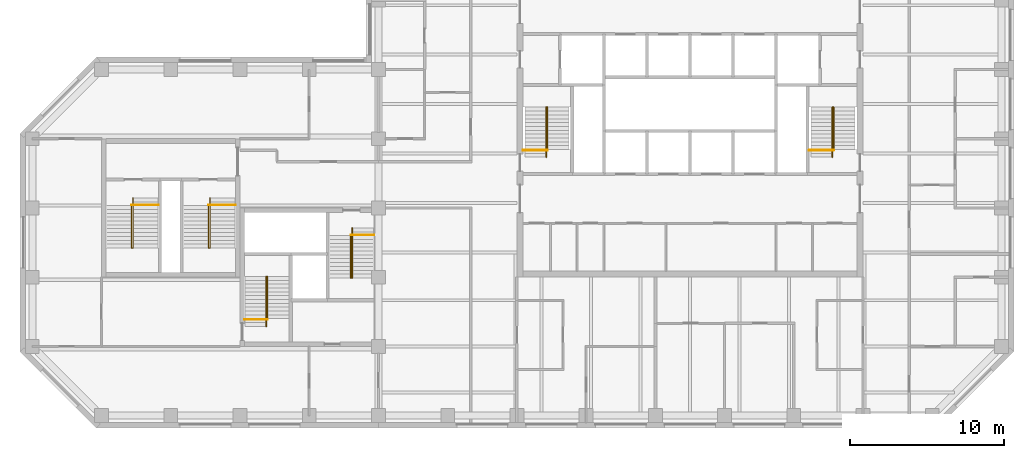
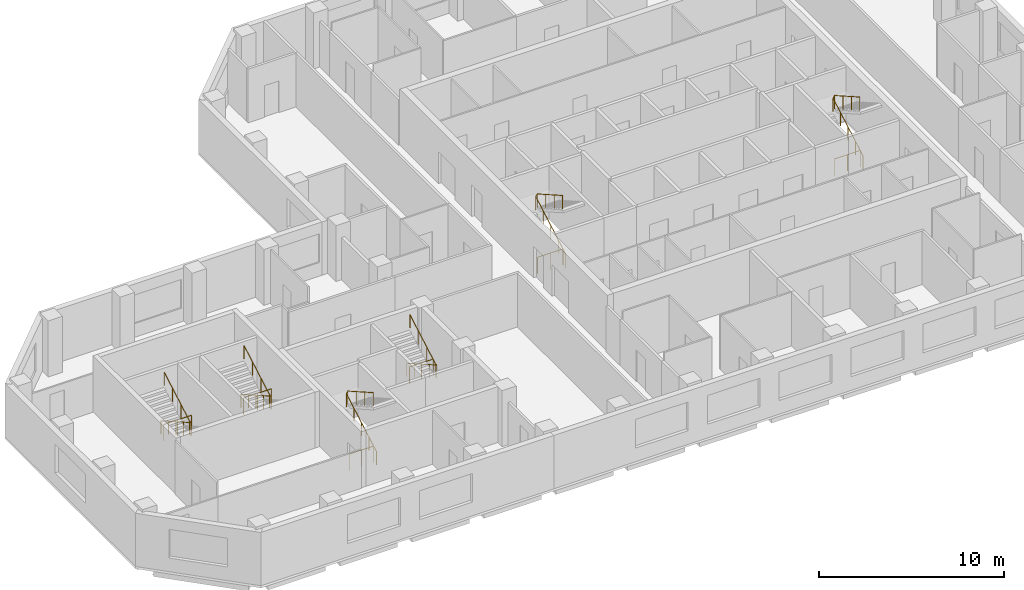
# One storey, part 10 of 10: 12 railings.
"""IFC4 building model written with IfcOpenShell, lengths in metres."""

from ifc_helpers import new_model, si_unit, direction, frame, origin, origin_2d, place, context, subcontext, project, spatial, circle, extrude, material, type_object, element, save


model = new_model("IFC4")

# Units and contexts
model_context = context("Model", 3, precision=1e-05, world=origin(), true_north=direction((0.0, 1.0)))
body_context = subcontext(model_context, "Body", "Model", "MODEL_VIEW")
ifc_project = project(units=[si_unit("LENGTHUNIT", "METRE"), si_unit("AREAUNIT", "SQUARE_METRE"), si_unit("VOLUMEUNIT", "CUBIC_METRE"), si_unit("PLANEANGLEUNIT", "RADIAN"), si_unit("MASSUNIT", "GRAM", prefix="KILO")], contexts=[model_context])

# Site, building, storey
site_placement = place(None, origin())
site = spatial("IfcSite", under=ifc_project, at=site_placement, CompositionType="ELEMENT")
building_placement = place(site_placement, origin())
building = spatial("IfcBuilding", under=site, at=building_placement, Name="Quoin Convention Tower", CompositionType="ELEMENT")
storey_placement = place(building_placement, frame((0.0, 0.0, 192.10009765625)))
storey = spatial("IfcBuildingStorey", under=building, at=storey_placement, Name="L50", CompositionType="ELEMENT", Elevation=192.10009765625)

# Railings
ifc_material = material(Name="Stainless steel", Category="steel")
railing_type_1 = type_object("IfcRailingType", Name="Stair handrail 900", PredefinedType="HANDRAIL", material=ifc_material)
railing_1_placement = place(storey_placement, frame((46.905029296875, 57.300048828125, 0.14208984375)))
element("IfcRailing", 1, at=railing_1_placement, inside=storey, type_object=railing_type_1, Name="SD1 handrail 1", PredefinedType="HANDRAIL", context=body_context, shape_type="SweptSolid", body=[
    extrude(circle(Radius=0.02392578125, at=origin_2d()), frame((0.0, 0.0, 0.8759765625), z_axis=(0.0, 0.869053504361, 0.494718108177), x_axis=(-1.0, 0.0, 0.0)), (0.0, 0.0, 1.0), 3.73974609375),
    extrude(circle(Radius=0.02392578125, at=origin_2d()), frame((0.0, 3.25, 2.72607421875), z_axis=(0.53481069233, 0.0, 0.844971906852), x_axis=(0.0, 1.0, 0.0)), (0.0, 0.0, 1.0), 0.16845703125),
    extrude(circle(Radius=0.02392578125, at=origin_2d()), frame((0.090087890625, 3.25, 2.8681640625), z_axis=(0.0, -0.869058607571, 0.494709143443), x_axis=(1.0, 0.0, 0.0)), (0.0, 0.0, 1.0), 3.164306640625),
    extrude(circle(Radius=0.02099609375, at=origin_2d()), origin(), (0.0, 0.0, 1.0), 0.851806640625),
    extrude(circle(Radius=0.02099609375, at=origin_2d()), frame((0.0, 0.8125, 0.46240234375)), (0.0, 0.0, 1.0), 0.851806640625),
    extrude(circle(Radius=0.02099609375, at=origin_2d()), frame((0.0, 1.625, 0.925048828125)), (0.0, 0.0, 1.0), 0.851806640625),
    extrude(circle(Radius=0.02099609375, at=origin_2d()), frame((0.0, 2.4375, 1.3876953125)), (0.0, 0.0, 1.0), 0.851806640625),
    extrude(circle(Radius=0.02099609375, at=origin_2d()), frame((0.0, 3.25, 1.85009765625)), (0.0, 0.0, 1.0), 0.851806640625),
    extrude(circle(Radius=0.02099609375, at=origin_2d()), frame((0.090087890625, 3.25, 1.992431640625)), (0.0, 0.0, 1.0), 0.851806640625),
    extrude(circle(Radius=0.02099609375, at=origin_2d()), frame((0.090087890625, 2.333251953125, 2.51416015625)), (0.0, 0.0, 1.0), 0.851806640625),
    extrude(circle(Radius=0.02099609375, at=origin_2d()), frame((0.090087890625, 1.416748046875, 3.0361328125)), (0.0, 0.0, 1.0), 0.851806640625),
    extrude(circle(Radius=0.02099609375, at=origin_2d()), frame((0.090087890625, 0.5, 3.557861328125)), (0.0, 0.0, 1.0), 0.851806640625),
])
railing_2_placement = place(storey_placement, frame((65.5048828125, 57.300048828125, 0.14208984375)))
element("IfcRailing", 2, at=railing_2_placement, inside=storey, type_object=railing_type_1, Name="SD2 handrail 1", PredefinedType="HANDRAIL", context=body_context, shape_type="SweptSolid", body=[
    extrude(circle(Radius=0.02392578125, at=origin_2d()), frame((0.0, 0.0, 0.8759765625), z_axis=(0.0, 0.869053504361, 0.494718108177), x_axis=(-1.0, 0.0, 0.0)), (0.0, 0.0, 1.0), 3.73974609375),
    extrude(circle(Radius=0.02392578125, at=origin_2d()), frame((0.0, 3.25, 2.72607421875), z_axis=(0.53481069233, 0.0, 0.844971906852), x_axis=(0.0, 1.0, 0.0)), (0.0, 0.0, 1.0), 0.16845703125),
    extrude(circle(Radius=0.02392578125, at=origin_2d()), frame((0.090087890625, 3.25, 2.8681640625), z_axis=(0.0, -0.869058607571, 0.494709143443), x_axis=(1.0, 0.0, 0.0)), (0.0, 0.0, 1.0), 3.164306640625),
    extrude(circle(Radius=0.02099609375, at=origin_2d()), origin(), (0.0, 0.0, 1.0), 0.851806640625),
    extrude(circle(Radius=0.02099609375, at=origin_2d()), frame((0.0, 0.8125, 0.46240234375)), (0.0, 0.0, 1.0), 0.851806640625),
    extrude(circle(Radius=0.02099609375, at=origin_2d()), frame((0.0, 1.625, 0.925048828125)), (0.0, 0.0, 1.0), 0.851806640625),
    extrude(circle(Radius=0.02099609375, at=origin_2d()), frame((0.0, 2.4375, 1.3876953125)), (0.0, 0.0, 1.0), 0.851806640625),
    extrude(circle(Radius=0.02099609375, at=origin_2d()), frame((0.0, 3.25, 1.85009765625)), (0.0, 0.0, 1.0), 0.851806640625),
    extrude(circle(Radius=0.02099609375, at=origin_2d()), frame((0.090087890625, 3.25, 1.992431640625)), (0.0, 0.0, 1.0), 0.851806640625),
    extrude(circle(Radius=0.02099609375, at=origin_2d()), frame((0.090087890625, 2.333251953125, 2.51416015625)), (0.0, 0.0, 1.0), 0.851806640625),
    extrude(circle(Radius=0.02099609375, at=origin_2d()), frame((0.090087890625, 1.416748046875, 3.0361328125)), (0.0, 0.0, 1.0), 0.851806640625),
    extrude(circle(Radius=0.02099609375, at=origin_2d()), frame((0.090087890625, 0.5, 3.557861328125)), (0.0, 0.0, 1.0), 0.851806640625),
])
railing_3_placement = place(storey_placement, frame((28.705078125, 46.300048828125, 0.14208984375)))
element("IfcRailing", 3, at=railing_3_placement, inside=storey, type_object=railing_type_1, Name="SD3 handrail 1", PredefinedType="HANDRAIL", context=body_context, shape_type="SweptSolid", body=[
    extrude(circle(Radius=0.02392578125, at=origin_2d()), frame((0.0, 0.0, 0.8759765625), z_axis=(0.0, 0.869053504361, 0.494718108177), x_axis=(-1.0, 0.0, 0.0)), (0.0, 0.0, 1.0), 3.73974609375),
    extrude(circle(Radius=0.02392578125, at=origin_2d()), frame((0.0, 3.25, 2.72607421875), z_axis=(0.533774684331, 0.0, 0.845626741753), x_axis=(0.0, 1.0, 0.0)), (0.0, 0.0, 1.0), 0.168212890625),
    extrude(circle(Radius=0.02392578125, at=origin_2d()), frame((0.08984375, 3.25, 2.8681640625), z_axis=(0.0, -0.869058607571, 0.494709143443), x_axis=(1.0, 0.0, 0.0)), (0.0, 0.0, 1.0), 3.164306640625),
    extrude(circle(Radius=0.02099609375, at=origin_2d()), origin(), (0.0, 0.0, 1.0), 0.851806640625),
    extrude(circle(Radius=0.02099609375, at=origin_2d()), frame((0.0, 0.8125, 0.46240234375)), (0.0, 0.0, 1.0), 0.851806640625),
    extrude(circle(Radius=0.02099609375, at=origin_2d()), frame((0.0, 1.625, 0.925048828125)), (0.0, 0.0, 1.0), 0.851806640625),
    extrude(circle(Radius=0.02099609375, at=origin_2d()), frame((0.0, 2.4375, 1.3876953125)), (0.0, 0.0, 1.0), 0.851806640625),
    extrude(circle(Radius=0.02099609375, at=origin_2d()), frame((0.0, 3.25, 1.85009765625)), (0.0, 0.0, 1.0), 0.851806640625),
    extrude(circle(Radius=0.02099609375, at=origin_2d()), frame((0.08984375, 3.25, 1.992431640625)), (0.0, 0.0, 1.0), 0.851806640625),
    extrude(circle(Radius=0.02099609375, at=origin_2d()), frame((0.08984375, 2.333251953125, 2.51416015625)), (0.0, 0.0, 1.0), 0.851806640625),
    extrude(circle(Radius=0.02099609375, at=origin_2d()), frame((0.08984375, 1.416748046875, 3.0361328125)), (0.0, 0.0, 1.0), 0.851806640625),
    extrude(circle(Radius=0.02099609375, at=origin_2d()), frame((0.08984375, 0.5, 3.557861328125)), (0.0, 0.0, 1.0), 0.851806640625),
])
railing_4_placement = place(storey_placement, frame((34.294921875, 52.699951171875, 0.14208984375)))
element("IfcRailing", 4, at=railing_4_placement, inside=storey, type_object=railing_type_1, Name="SD4 handrail 1", PredefinedType="HANDRAIL", context=body_context, shape_type="SweptSolid", body=[
    extrude(circle(Radius=0.02392578125, at=origin_2d()), frame((0.0, 0.0, 0.8759765625), z_axis=(0.0, -0.869053504361, 0.494718108177), x_axis=(1.0, 0.0, 0.0)), (0.0, 0.0, 1.0), 3.73974609375),
    extrude(circle(Radius=0.02392578125, at=origin_2d()), frame((0.0, -3.25, 2.72607421875), z_axis=(-0.533774684331, 0.0, 0.845626741753), x_axis=(0.0, -1.0, 0.0)), (0.0, 0.0, 1.0), 0.168212890625),
    extrude(circle(Radius=0.02392578125, at=origin_2d()), frame((-0.08984375, -3.25, 2.8681640625), z_axis=(0.0, 0.869058607571, 0.494709143443), x_axis=(-1.0, 0.0, 0.0)), (0.0, 0.0, 1.0), 3.164306640625),
    extrude(circle(Radius=0.02099609375, at=origin_2d()), origin(), (0.0, 0.0, 1.0), 0.851806640625),
    extrude(circle(Radius=0.02099609375, at=origin_2d()), frame((0.0, -0.8125, 0.46240234375)), (0.0, 0.0, 1.0), 0.851806640625),
    extrude(circle(Radius=0.02099609375, at=origin_2d()), frame((0.0, -1.625, 0.925048828125)), (0.0, 0.0, 1.0), 0.851806640625),
    extrude(circle(Radius=0.02099609375, at=origin_2d()), frame((0.0, -2.4375, 1.3876953125)), (0.0, 0.0, 1.0), 0.851806640625),
    extrude(circle(Radius=0.02099609375, at=origin_2d()), frame((0.0, -3.25, 1.85009765625)), (0.0, 0.0, 1.0), 0.851806640625),
    extrude(circle(Radius=0.02099609375, at=origin_2d()), frame((-0.08984375, -3.25, 1.992431640625)), (0.0, 0.0, 1.0), 0.851806640625),
    extrude(circle(Radius=0.02099609375, at=origin_2d()), frame((-0.08984375, -2.333251953125, 2.51416015625)), (0.0, 0.0, 1.0), 0.851806640625),
    extrude(circle(Radius=0.02099609375, at=origin_2d()), frame((-0.08984375, -1.416748046875, 3.0361328125)), (0.0, 0.0, 1.0), 0.851806640625),
    extrude(circle(Radius=0.02099609375, at=origin_2d()), frame((-0.08984375, -0.5, 3.557861328125)), (0.0, 0.0, 1.0), 0.851806640625),
])
railing_5_placement = place(storey_placement, frame((20.044921875, 54.64990234375, 0.14208984375)))
element("IfcRailing", 5, at=railing_5_placement, inside=storey, type_object=railing_type_1, Name="SD11 handrail 1", PredefinedType="HANDRAIL", context=body_context, shape_type="SweptSolid", body=[
    extrude(circle(Radius=0.02392578125, at=origin_2d()), frame((0.0, 0.0, 0.8759765625), z_axis=(0.0, -0.869053504361, 0.494718108177), x_axis=(1.0, 0.0, 0.0)), (0.0, 0.0, 1.0), 3.73974609375),
    extrude(circle(Radius=0.02392578125, at=origin_2d()), frame((0.0, -3.25, 2.72607421875), z_axis=(-0.533774684331, 0.0, 0.845626741753), x_axis=(0.0, -1.0, 0.0)), (0.0, 0.0, 1.0), 0.168212890625),
    extrude(circle(Radius=0.02392578125, at=origin_2d()), frame((-0.08984375, -3.25, 2.8681640625), z_axis=(0.0, 0.869058607571, 0.494709143443), x_axis=(-1.0, 0.0, 0.0)), (0.0, 0.0, 1.0), 3.164306640625),
    extrude(circle(Radius=0.02099609375, at=origin_2d()), origin(), (0.0, 0.0, 1.0), 0.851806640625),
    extrude(circle(Radius=0.02099609375, at=origin_2d()), frame((0.0, -0.8125, 0.46240234375)), (0.0, 0.0, 1.0), 0.851806640625),
    extrude(circle(Radius=0.02099609375, at=origin_2d()), frame((0.0, -1.625, 0.925048828125)), (0.0, 0.0, 1.0), 0.851806640625),
    extrude(circle(Radius=0.02099609375, at=origin_2d()), frame((0.0, -2.4375, 1.3876953125)), (0.0, 0.0, 1.0), 0.851806640625),
    extrude(circle(Radius=0.02099609375, at=origin_2d()), frame((0.0, -3.25, 1.85009765625)), (0.0, 0.0, 1.0), 0.851806640625),
    extrude(circle(Radius=0.02099609375, at=origin_2d()), frame((-0.08984375, -3.25, 1.992431640625)), (0.0, 0.0, 1.0), 0.851806640625),
    extrude(circle(Radius=0.02099609375, at=origin_2d()), frame((-0.08984375, -2.333251953125, 2.51416015625)), (0.0, 0.0, 1.0), 0.851806640625),
    extrude(circle(Radius=0.02099609375, at=origin_2d()), frame((-0.08984375, -1.416748046875, 3.0361328125)), (0.0, 0.0, 1.0), 0.851806640625),
    extrude(circle(Radius=0.02099609375, at=origin_2d()), frame((-0.08984375, -0.5, 3.557861328125)), (0.0, 0.0, 1.0), 0.851806640625),
])
railing_6_placement = place(storey_placement, frame((25.044921875, 54.64990234375, 0.14208984375)))
element("IfcRailing", 6, at=railing_6_placement, inside=storey, type_object=railing_type_1, Name="SD12 handrail 1", PredefinedType="HANDRAIL", context=body_context, shape_type="SweptSolid", body=[
    extrude(circle(Radius=0.02392578125, at=origin_2d()), frame((0.0, 0.0, 0.8759765625), z_axis=(0.0, -0.869053504361, 0.494718108177), x_axis=(1.0, 0.0, 0.0)), (0.0, 0.0, 1.0), 3.73974609375),
    extrude(circle(Radius=0.02392578125, at=origin_2d()), frame((0.0, -3.25, 2.72607421875), z_axis=(-0.533774684331, 0.0, 0.845626741753), x_axis=(0.0, -1.0, 0.0)), (0.0, 0.0, 1.0), 0.168212890625),
    extrude(circle(Radius=0.02392578125, at=origin_2d()), frame((-0.08984375, -3.25, 2.8681640625), z_axis=(0.0, 0.869058607571, 0.494709143443), x_axis=(-1.0, 0.0, 0.0)), (0.0, 0.0, 1.0), 3.164306640625),
    extrude(circle(Radius=0.02099609375, at=origin_2d()), origin(), (0.0, 0.0, 1.0), 0.851806640625),
    extrude(circle(Radius=0.02099609375, at=origin_2d()), frame((0.0, -0.8125, 0.46240234375)), (0.0, 0.0, 1.0), 0.851806640625),
    extrude(circle(Radius=0.02099609375, at=origin_2d()), frame((0.0, -1.625, 0.925048828125)), (0.0, 0.0, 1.0), 0.851806640625),
    extrude(circle(Radius=0.02099609375, at=origin_2d()), frame((0.0, -2.4375, 1.3876953125)), (0.0, 0.0, 1.0), 0.851806640625),
    extrude(circle(Radius=0.02099609375, at=origin_2d()), frame((0.0, -3.25, 1.85009765625)), (0.0, 0.0, 1.0), 0.851806640625),
    extrude(circle(Radius=0.02099609375, at=origin_2d()), frame((-0.08984375, -3.25, 1.992431640625)), (0.0, 0.0, 1.0), 0.851806640625),
    extrude(circle(Radius=0.02099609375, at=origin_2d()), frame((-0.08984375, -2.333251953125, 2.51416015625)), (0.0, 0.0, 1.0), 0.851806640625),
    extrude(circle(Radius=0.02099609375, at=origin_2d()), frame((-0.08984375, -1.416748046875, 3.0361328125)), (0.0, 0.0, 1.0), 0.851806640625),
    extrude(circle(Radius=0.02099609375, at=origin_2d()), frame((-0.08984375, -0.5, 3.557861328125)), (0.0, 0.0, 1.0), 0.851806640625),
])
railing_type_2 = type_object("IfcRailingType", Name="Stair top guard 1100", PredefinedType="GUARDRAIL", material=ifc_material)
railing_7_placement = place(storey_placement, frame((45.39990234375, 57.75, 0.0)))
element("IfcRailing", 7, at=railing_7_placement, inside=storey, type_object=railing_type_2, Name="SD1 top guard", PredefinedType="GUARDRAIL", context=body_context, shape_type="SweptSolid", body=[
    extrude(circle(Radius=0.02392578125, at=origin_2d()), frame((0.0, 0.0, 1.076171875), z_axis=(1.0, 0.0, 0.0), x_axis=(0.0, 1.0, 0.0)), (0.0, 0.0, 1.0), 1.59521484375),
    extrude(circle(Radius=0.02099609375, at=origin_2d()), origin(), (0.0, 0.0, 1.0), 1.052001953125),
    extrude(circle(Radius=0.02099609375, at=origin_2d()), frame((0.797607421875, 0.0, 0.0)), (0.0, 0.0, 1.0), 1.052001953125),
    extrude(circle(Radius=0.02099609375, at=origin_2d()), frame((1.59521484375, 0.0, 0.0)), (0.0, 0.0, 1.0), 1.052001953125),
])
railing_8_placement = place(storey_placement, frame((64.0, 57.75, 0.0)))
element("IfcRailing", 8, at=railing_8_placement, inside=storey, type_object=railing_type_2, Name="SD2 top guard", PredefinedType="GUARDRAIL", context=body_context, shape_type="SweptSolid", body=[
    extrude(circle(Radius=0.02392578125, at=origin_2d()), frame((0.0, 0.0, 1.076171875), z_axis=(1.0, 0.0, 0.0), x_axis=(0.0, 1.0, 0.0)), (0.0, 0.0, 1.0), 1.594970703125),
    extrude(circle(Radius=0.02099609375, at=origin_2d()), origin(), (0.0, 0.0, 1.0), 1.052001953125),
    extrude(circle(Radius=0.02099609375, at=origin_2d()), frame((0.79736328125, 0.0, 0.0)), (0.0, 0.0, 1.0), 1.052001953125),
    extrude(circle(Radius=0.02099609375, at=origin_2d()), frame((1.594970703125, 0.0, 0.0)), (0.0, 0.0, 1.0), 1.052001953125),
])
railing_9_placement = place(storey_placement, frame((27.300048828125, 46.75, 0.0)))
element("IfcRailing", 9, at=railing_9_placement, inside=storey, type_object=railing_type_2, Name="SD3 top guard", PredefinedType="GUARDRAIL", context=body_context, shape_type="SweptSolid", body=[
    extrude(circle(Radius=0.02392578125, at=origin_2d()), frame((0.0, 0.0, 1.076171875), z_axis=(1.0, 0.0, 0.0), x_axis=(0.0, 1.0, 0.0)), (0.0, 0.0, 1.0), 1.494873046875),
    extrude(circle(Radius=0.02099609375, at=origin_2d()), origin(), (0.0, 0.0, 1.0), 1.052001953125),
    extrude(circle(Radius=0.02099609375, at=origin_2d()), frame((0.74755859375, 0.0, 0.0)), (0.0, 0.0, 1.0), 1.052001953125),
    extrude(circle(Radius=0.02099609375, at=origin_2d()), frame((1.494873046875, 0.0, 0.0)), (0.0, 0.0, 1.0), 1.052001953125),
])
railing_10_placement = place(storey_placement, frame((35.699951171875, 52.25, 0.0)))
element("IfcRailing", 10, at=railing_10_placement, inside=storey, type_object=railing_type_2, Name="SD4 top guard", PredefinedType="GUARDRAIL", context=body_context, shape_type="SweptSolid", body=[
    extrude(circle(Radius=0.02392578125, at=origin_2d()), frame((0.0, 0.0, 1.076171875), z_axis=(-1.0, 0.0, 0.0), x_axis=(0.0, -1.0, 0.0)), (0.0, 0.0, 1.0), 1.494873046875),
    extrude(circle(Radius=0.02099609375, at=origin_2d()), origin(), (0.0, 0.0, 1.0), 1.052001953125),
    extrude(circle(Radius=0.02099609375, at=origin_2d()), frame((-0.74755859375, 0.0, 0.0)), (0.0, 0.0, 1.0), 1.052001953125),
    extrude(circle(Radius=0.02099609375, at=origin_2d()), frame((-1.494873046875, 0.0, 0.0)), (0.0, 0.0, 1.0), 1.052001953125),
])
for number, where, name in (
    (11, (21.699951171875, 54.199951171875, 0.0), "SD11 top guard"),
    (12, (26.699951171875, 54.199951171875, 0.0), "SD12 top guard"),
):
    element("IfcRailing", number, at=place(storey_placement, frame(where)), inside=storey, type_object=railing_type_2, Name=name, PredefinedType="GUARDRAIL", context=body_context, shape_type="SweptSolid", body=[
        extrude(circle(Radius=0.02392578125, at=origin_2d()), frame((0.0, 0.0, 1.076171875), z_axis=(-1.0, 0.0, 0.0), x_axis=(0.0, -1.0, 0.0)), (0.0, 0.0, 1.0), 1.744873046875),
        extrude(circle(Radius=0.02099609375, at=origin_2d()), origin(), (0.0, 0.0, 1.0), 1.052001953125),
        extrude(circle(Radius=0.02099609375, at=origin_2d()), frame((-0.87255859375, 0.0, 0.0)), (0.0, 0.0, 1.0), 1.052001953125),
        extrude(circle(Radius=0.02099609375, at=origin_2d()), frame((-1.744873046875, 0.0, 0.0)), (0.0, 0.0, 1.0), 1.052001953125),
    ])

save(model, "model.ifc")
